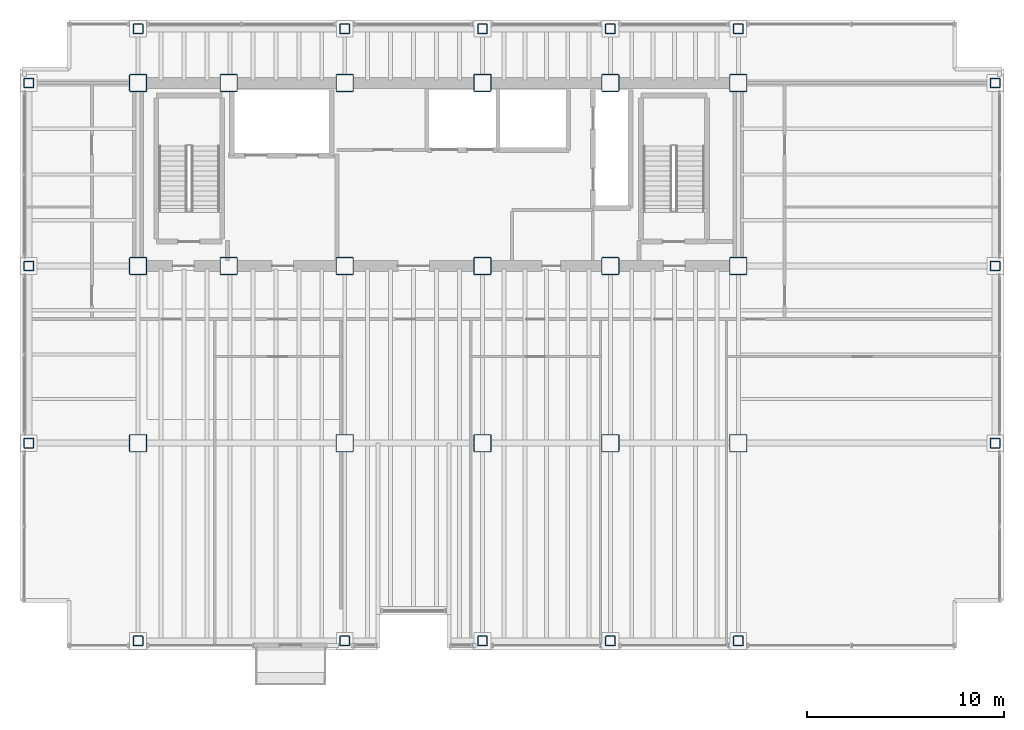
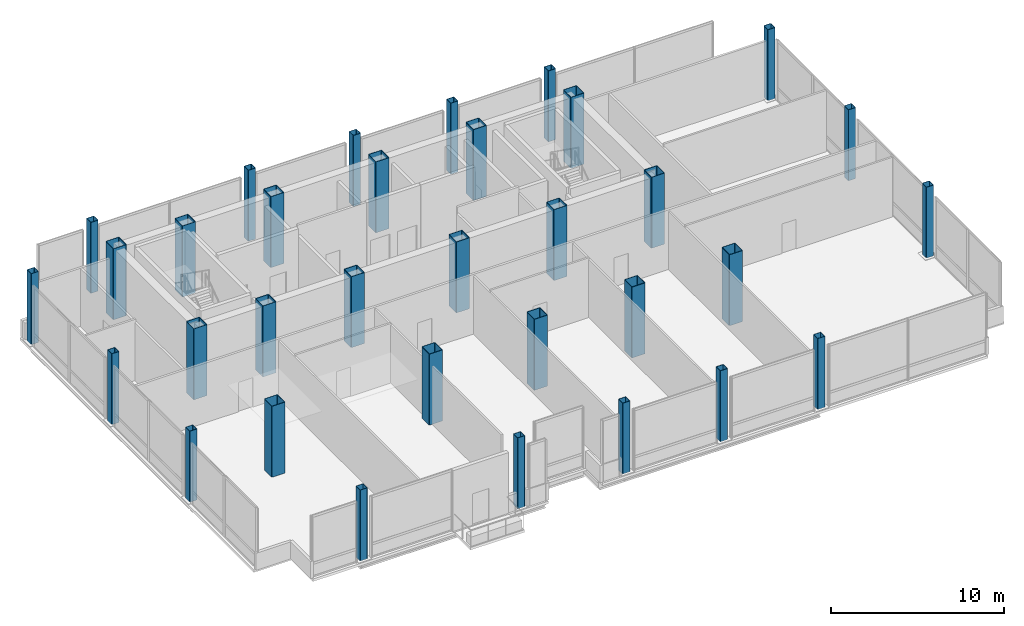
# One storey, part 1 of 22: 33 columns.
"""IFC4 building model written with IfcOpenShell, lengths in metres."""

from ifc_helpers import new_model, si_unit, direction, frame, origin, origin_2d, place, context, subcontext, project, spatial, hollow_rectangle, extrude, material, material_profile, profile_set, type_object, element, save


model = new_model("IFC4")

# Units and contexts
model_context = context("Model", 3, precision=1e-05, world=origin(), true_north=direction((0.0, 1.0)))
body_context = subcontext(model_context, "Body", "Model", "MODEL_VIEW")
ifc_project = project(units=[si_unit("LENGTHUNIT", "METRE"), si_unit("AREAUNIT", "SQUARE_METRE"), si_unit("VOLUMEUNIT", "CUBIC_METRE"), si_unit("PLANEANGLEUNIT", "RADIAN"), si_unit("MASSUNIT", "GRAM", prefix="KILO")], contexts=[model_context])

# Site, building, storey
site_placement = place(None, origin())
site = spatial("IfcSite", under=ifc_project, at=site_placement, CompositionType="ELEMENT")
building_placement = place(site_placement, origin())
building = spatial("IfcBuilding", under=site, at=building_placement, Name="Noeulbin Bourse Tower", CompositionType="ELEMENT")
storey_placement = place(building_placement, frame((0.0, 0.0, 106.0)))
storey = spatial("IfcBuildingStorey", under=building, at=storey_placement, Name="L26", CompositionType="ELEMENT", Elevation=106.0)

# Columns
ifc_material_1 = material(Name="Steel S355", Category="steel")
ifc_material_profile_1 = material_profile(ifc_material_1, hollow_rectangle(XDim=0.5, YDim=0.5, WallThickness=0.02392578125, InnerFilletRadius=0.011962890625, OuterFilletRadius=0.035888671875, at=origin_2d()), Name="BOX-500x500x24", Category="LoadBearing")
ifc_profile_set_1 = profile_set([ifc_material_profile_1], Name="Steel S355")
column_type_1 = type_object("IfcColumnType", Name="COL-PER-Z2", PredefinedType="COLUMN", material=ifc_profile_set_1)
for number, where, z_axis, x_axis, name in (
    (1, (7.949951171875, 20.0, 0.0), (0.0, 0.0, 1.0), (1.0, 0.0, 0.0), "Tower Perimeter Column COL-PER-Z2 01"),
    (2, (7.949951171875, 29.0, 0.0), (0.0, 0.0, 1.0), (1.0, 0.0, 0.0), "Tower Perimeter Column COL-PER-Z2 02"),
    (3, (7.949951171875, 38.300048828125, 0.0), (0.0, 0.0, 1.0), (1.0, 0.0, 0.0), "Tower Perimeter Column COL-PER-Z2 03"),
    (4, (13.5, 9.949951171875, 0.0), (0.0, 0.0, 1.0), (1.0, 0.0, 0.0), "Tower Perimeter Column COL-PER-Z2 04"),
    (5, (13.5, 41.050048828125, 0.0), (0.0, 0.0, 1.0), (1.0, 0.0, 0.0), "Tower Perimeter Column COL-PER-Z2 05"),
    (6, (24.0, 9.949951171875, 0.0), (0.0, 0.0, 1.0), (1.0, 0.0, 0.0), "Tower Perimeter Column COL-PER-Z2 06"),
    (7, (24.0, 41.050048828125, 0.0), (0.0, 0.0, 1.0), (1.0, 0.0, 0.0), "Tower Perimeter Column COL-PER-Z2 07"),
    (8, (31.0, 9.949951171875, 0.0), (0.0, 0.0, 1.0), (1.0, 0.0, 0.0), "Tower Perimeter Column COL-PER-Z2 08"),
    (9, (31.0, 41.050048828125, 0.0), (0.0, 0.0, 1.0), (1.0, 0.0, 0.0), "Tower Perimeter Column COL-PER-Z2 09"),
    (10, (37.5, 9.949951171875, 0.0), (0.0, 0.0, 1.0), (1.0, 0.0, 0.0), "Tower Perimeter Column COL-PER-Z2 10"),
    (11, (37.5, 41.050048828125, 0.0), (0.0, 0.0, 1.0), (1.0, 0.0, 0.0), "Tower Perimeter Column COL-PER-Z2 11"),
    (12, (44.0, 9.949951171875, 0.0), (0.0, 0.0, 1.0), (1.0, 0.0, 0.0), "Tower Perimeter Column COL-PER-Z2 12"),
    (13, (44.0, 41.050048828125, 0.0), (0.0, 0.0, 1.0), (1.0, 0.0, 0.0), "Tower Perimeter Column COL-PER-Z2 13"),
    (14, (57.050048828125, 20.0, 0.0), (0.0, 0.0, 1.0), (1.0, 0.0, 0.0), "Tower Perimeter Column COL-PER-Z2 14"),
    (15, (57.050048828125, 29.0, 0.0), (0.0, 0.0, 1.0), (1.0, 0.0, 0.0), "Tower Perimeter Column COL-PER-Z2 15"),
    (16, (57.050048828125, 38.300048828125, 0.0), (0.0, 0.0, 1.0), (1.0, 0.0, 0.0), "Tower Perimeter Column COL-PER-Z2 16"),
):
    element("IfcColumn", number, at=place(storey_placement, frame(where, z_axis=z_axis, x_axis=x_axis)), inside=storey, type_object=column_type_1, Name=name, PredefinedType="COLUMN", context=body_context, shape_type="SweptSolid", body=[
        extrude(hollow_rectangle(XDim=0.5, YDim=0.5, WallThickness=0.02392578125, InnerFilletRadius=0.011962890625, OuterFilletRadius=0.035888671875, at=origin_2d()), origin(), (0.0, 0.0, 1.0), 5.0),
    ])
ifc_material_2 = material(Name="Steel S460", Category="steel")
ifc_material_profile_2 = material_profile(ifc_material_2, hollow_rectangle(XDim=0.89990234375, YDim=0.89990234375, WallThickness=0.034912109375, InnerFilletRadius=0.01708984375, OuterFilletRadius=0.052001953125, at=origin_2d()), Name="BOX-900x900x35", Category="LoadBearing")
ifc_profile_set_2 = profile_set([ifc_material_profile_2], Name="Steel S460")
column_type_2 = type_object("IfcColumnType", Name="COL-TRK-Z2", PredefinedType="COLUMN", material=ifc_profile_set_2)
for number, where, z_axis, x_axis, name in (
    (17, (13.5, 29.0, 0.0), (0.0, 0.0, 1.0), (1.0, 0.0, 0.0), "Tower Trunk Mega-Column COL-TRK-Z2 01"),
    (18, (13.5, 38.300048828125, 0.0), (0.0, 0.0, 1.0), (1.0, 0.0, 0.0), "Tower Trunk Mega-Column COL-TRK-Z2 02"),
    (19, (18.10009765625, 29.0, 0.0), (0.0, 0.0, 1.0), (1.0, 0.0, 0.0), "Tower Trunk Mega-Column COL-TRK-Z2 03"),
    (20, (18.10009765625, 38.300048828125, 0.0), (0.0, 0.0, 1.0), (1.0, 0.0, 0.0), "Tower Trunk Mega-Column COL-TRK-Z2 04"),
    (21, (24.0, 29.0, 0.0), (0.0, 0.0, 1.0), (1.0, 0.0, 0.0), "Tower Trunk Mega-Column COL-TRK-Z2 05"),
    (22, (24.0, 38.300048828125, 0.0), (0.0, 0.0, 1.0), (1.0, 0.0, 0.0), "Tower Trunk Mega-Column COL-TRK-Z2 06"),
    (23, (31.0, 29.0, 0.0), (0.0, 0.0, 1.0), (1.0, 0.0, 0.0), "Tower Trunk Mega-Column COL-TRK-Z2 07"),
    (24, (31.0, 38.300048828125, 0.0), (0.0, 0.0, 1.0), (1.0, 0.0, 0.0), "Tower Trunk Mega-Column COL-TRK-Z2 08"),
    (25, (37.5, 29.0, 0.0), (0.0, 0.0, 1.0), (1.0, 0.0, 0.0), "Tower Trunk Mega-Column COL-TRK-Z2 09"),
    (26, (37.5, 38.300048828125, 0.0), (0.0, 0.0, 1.0), (1.0, 0.0, 0.0), "Tower Trunk Mega-Column COL-TRK-Z2 10"),
    (27, (44.0, 29.0, 0.0), (0.0, 0.0, 1.0), (1.0, 0.0, 0.0), "Tower Trunk Mega-Column COL-TRK-Z2 11"),
    (28, (44.0, 38.300048828125, 0.0), (0.0, 0.0, 1.0), (1.0, 0.0, 0.0), "Tower Trunk Mega-Column COL-TRK-Z2 12"),
    (29, (13.5, 20.0, 0.0), (0.0, 0.0, 1.0), (1.0, 0.0, 0.0), "Tower Trunk Mega-Column COL-TRK-Z2 13"),
    (30, (24.0, 20.0, 0.0), (0.0, 0.0, 1.0), (1.0, 0.0, 0.0), "Tower Trunk Mega-Column COL-TRK-Z2 14"),
    (31, (31.0, 20.0, 0.0), (0.0, 0.0, 1.0), (1.0, 0.0, 0.0), "Tower Trunk Mega-Column COL-TRK-Z2 15"),
    (32, (37.5, 20.0, 0.0), (0.0, 0.0, 1.0), (1.0, 0.0, 0.0), "Tower Trunk Mega-Column COL-TRK-Z2 16"),
    (33, (44.0, 20.0, 0.0), (0.0, 0.0, 1.0), (1.0, 0.0, 0.0), "Tower Trunk Mega-Column COL-TRK-Z2 17"),
):
    element("IfcColumn", number, at=place(storey_placement, frame(where, z_axis=z_axis, x_axis=x_axis)), inside=storey, type_object=column_type_2, Name=name, PredefinedType="COLUMN", context=body_context, shape_type="SweptSolid", body=[
        extrude(hollow_rectangle(XDim=0.89990234375, YDim=0.89990234375, WallThickness=0.034912109375, InnerFilletRadius=0.01708984375, OuterFilletRadius=0.052001953125, at=origin_2d()), origin(), (0.0, 0.0, 1.0), 5.0),
    ])

save(model, "model.ifc")
